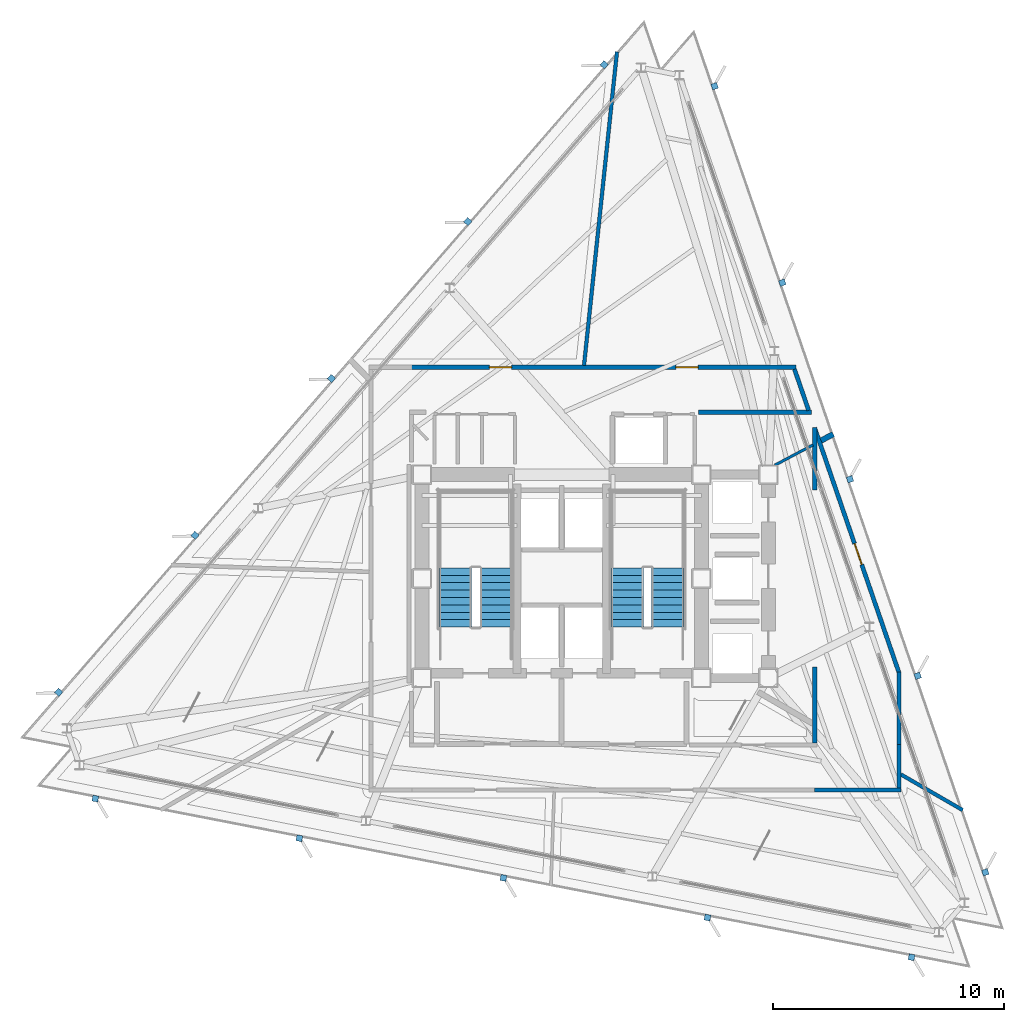
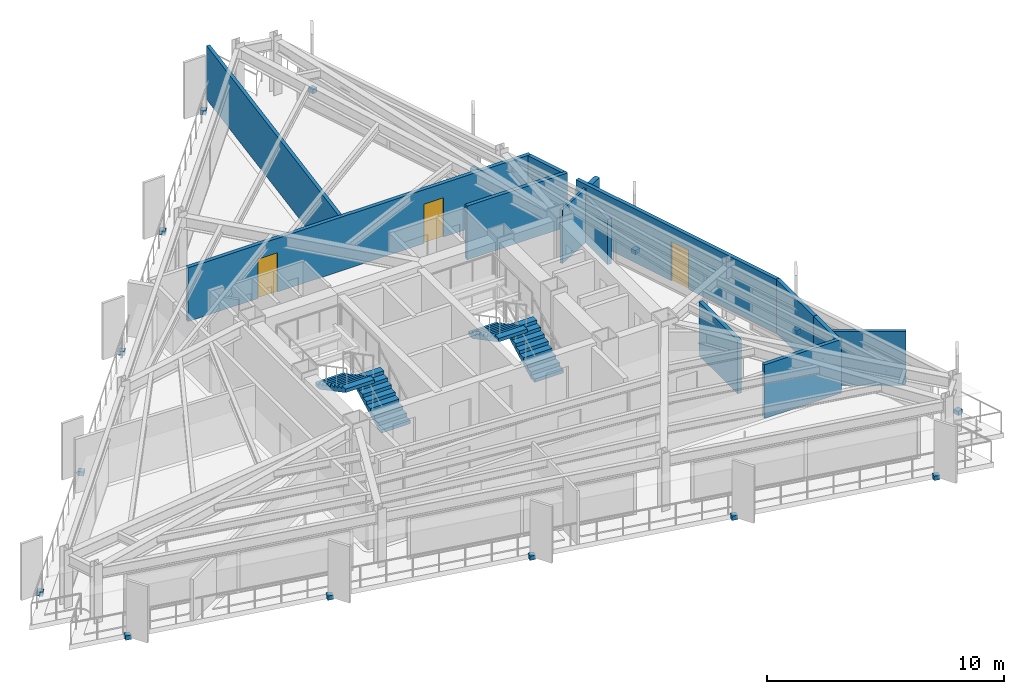
# One storey, part 10 of 13: 15 discrete accessories, 13 walls, 4 stair flights, 3 doors, 3 openings, 2 elements without a shape of their own.
"""IFC4 building model written with IfcOpenShell, lengths in metres."""

from ifc_helpers import new_model, si_unit, direction, frame, frame_2d, origin, origin_2d, place, context, subcontext, project, spatial, polyline, rectangle, outline, extrude, material, layer, layer_set, type_object, element, fill, aggregate, save


model = new_model("IFC4")

# Units and contexts
model_context = context("Model", 3, precision=1e-05, world=origin(), true_north=direction((0.0, 1.0)))
body_context = subcontext(model_context, "Body", "Model", "MODEL_VIEW")
ifc_project = project(units=[si_unit("LENGTHUNIT", "METRE"), si_unit("AREAUNIT", "SQUARE_METRE"), si_unit("VOLUMEUNIT", "CUBIC_METRE"), si_unit("PLANEANGLEUNIT", "RADIAN"), si_unit("MASSUNIT", "GRAM", prefix="KILO")], contexts=[model_context])

# Site, building, storey
site_placement = place(None, origin())
site = spatial("IfcSite", under=ifc_project, at=site_placement, CompositionType="ELEMENT")
building_placement = place(site_placement, origin())
building = spatial("IfcBuilding", under=site, at=building_placement, Name="Rocaltana Carrier Exchange", CompositionType="ELEMENT")
storey_placement = place(building_placement, frame((0.0, 0.0, 165.43994140625)))
storey = spatial("IfcBuildingStorey", under=building, at=storey_placement, Name="L52", CompositionType="ELEMENT", Elevation=165.43994140625)

# Walls
ifc_material_1 = material(Name="Double Acoustic Gypsum Partition", Category="gypsum")
ifc_layer_1 = layer(ifc_material_1, 0.159912109375)
ifc_layer_set_1 = layer_set([ifc_layer_1], Name="Double Acoustic Gypsum Partition")
wall_type_1 = type_object("IfcWallType", Name="Acoustic Studio Partition 160 EI60", PredefinedType="PARTITIONING", material=ifc_layer_set_1)
wall_1_placement = place(storey_placement, frame((14.679931640625, -8.4755859375, 0.0), z_axis=(0.0, 0.0, 1.0), x_axis=(0.866047813034, -0.499961184032, 0.0)))
element("IfcWall", 1, at=wall_1_placement, inside=storey, type_object=wall_type_1, Name="L52 Suite Divider Wall D4", PredefinedType="PARTITIONING", context=body_context, shape_type="SweptSolid", body=[
    extrude(rectangle(XDim=3.098388671875, YDim=0.159912109375, at=frame_2d((1.54931640625, 0.0))), origin(), (0.0, 0.0, 1.0), 2.762939453125),
])
wall_2_placement = place(storey_placement, frame((0.97021484375, 9.22998046875, 0.0), z_axis=(0.0, 0.0, 1.0), x_axis=(0.10452931889, 0.994521805438, 0.0)))
element("IfcWall", 2, at=wall_2_placement, inside=storey, type_object=wall_type_1, Name="L52 Suite Divider Wall D7", PredefinedType="PARTITIONING", context=body_context, shape_type="SweptSolid", body=[
    extrude(rectangle(XDim=13.651611328125, YDim=0.159912109375, at=frame_2d((6.82568359375, 0.0))), origin(), (0.0, 0.0, 1.0), 2.762939453125),
])

# Wall, openings, doors
ifc_material_2 = material(Name="Gypsum & Steel Stud Partition", Category="steel")
ifc_layer_2 = layer(ifc_material_2, 0.179931640625)
ifc_layer_set_2 = layer_set([ifc_layer_2], Name="Gypsum & Steel Stud Partition")
wall_type_2 = type_object("IfcWallType", Name="Corridor Fire Partition 180 EI60", PredefinedType="PARTITIONING", material=ifc_layer_set_2)
wall_3_placement = place(storey_placement, frame((-6.52001953125, 9.14990234375, 0.0), z_axis=(0.0, 0.0, 1.0), x_axis=(1.0, 0.0, 0.0)))
wall_3 = element("IfcWall", 3, at=wall_3_placement, inside=storey, type_object=wall_type_2, Name="L52 Corridor Partition 6", PredefinedType="PARTITIONING", context=body_context, shape_type="SweptSolid", body=[
    extrude(rectangle(XDim=16.662353515625, YDim=0.179931640625, at=frame_2d((8.3310546875, 0.0))), origin(), (0.0, 0.0, 1.0), 2.762939453125),
])
opening_1_placement = place(wall_3_placement, frame((11.46630859375, 0.0, 0.0)))
opening_1 = element("IfcOpeningElement", 4, at=opening_1_placement, cuts=wall_3, Name="Opening D-RM098", PredefinedType="OPENING", context=body_context, shape_type="SweptSolid", body=[
    extrude(rectangle(XDim=0.9599609375, YDim=2.02001953125, at=frame_2d((0.47998046875, 1.010009765625))), frame((0.0, 0.099853515625, 0.0), z_axis=(0.0, -1.0, 0.0), x_axis=(1.0, 0.0, 0.0)), (0.0, 0.0, 1.0), 0.199951171875),
])
opening_2_placement = place(wall_3_placement, frame((3.39501953125, 0.0, 0.0)))
opening_2 = element("IfcOpeningElement", 5, at=opening_2_placement, cuts=wall_3, Name="Opening D-RM098", PredefinedType="OPENING", context=body_context, shape_type="SweptSolid", body=[
    extrude(rectangle(XDim=0.9599609375, YDim=2.02001953125, at=frame_2d((0.47998046875, 1.010009765625))), frame((0.0, 0.099853515625, 0.0), z_axis=(0.0, -1.0, 0.0), x_axis=(1.0, 0.0, 0.0)), (0.0, 0.0, 1.0), 0.199951171875),
])
ifc_material_3 = material(Name="Engineered Hardwood Timber", Category="wood")
door_type = type_object("IfcDoorType", Name="Workspace Single Door 960x2020", OperationType="NOTDEFINED", PredefinedType="DOOR", material=ifc_material_3)
door_1_placement = place(opening_1_placement, origin())
door_1 = element("IfcDoor", 6, at=door_1_placement, inside=storey, type_object=door_type, Name="L52 Peering Conference Room Entrance Door", OperationType="SINGLE_SWING_LEFT", OverallHeight=2.02001953125, OverallWidth=0.9599609375, PredefinedType="DOOR", context=body_context, shape_type="SweptSolid", body=[
    extrude(rectangle(XDim=0.9599609375, YDim=2.02001953125, at=frame_2d((0.47998046875, 1.010009765625))), frame((0.0, 0.02490234375, 0.0), z_axis=(0.0, -1.0, 0.0), x_axis=(1.0, 0.0, 0.0)), (0.0, 0.0, 1.0), 0.050048828125),
])
fill(opening_1, door_1)
door_2_placement = place(opening_2_placement, origin())
door_2 = element("IfcDoor", 7, at=door_2_placement, inside=storey, type_object=door_type, Name="L52 Quiet Focus Lounge Entrance Door", OperationType="SINGLE_SWING_RIGHT", OverallHeight=2.02001953125, OverallWidth=0.9599609375, PredefinedType="DOOR", context=body_context, shape_type="SweptSolid", body=[
    extrude(rectangle(XDim=0.9599609375, YDim=2.02001953125, at=frame_2d((0.47998046875, 1.010009765625))), frame((0.0, 0.02490234375, 0.0), z_axis=(0.0, -1.0, 0.0), x_axis=(1.0, 0.0, 0.0)), (0.0, 0.0, 1.0), 0.050048828125),
])
fill(opening_2, door_2)

# Walls
wall_4_placement = place(storey_placement, frame((10.08154296875, 9.06494140625, 0.0), z_axis=(0.0, 0.0, 1.0), x_axis=(0.325550958337, -0.945524496524, 0.0)))
element("IfcWall", 8, at=wall_4_placement, inside=storey, type_object=wall_type_2, Name="L52 Corridor Partition 7", PredefinedType="PARTITIONING", context=body_context, shape_type="SweptSolid", body=[
    extrude(rectangle(XDim=1.88232421875, YDim=0.179931640625, at=frame_2d((0.941162109375, 0.0))), origin(), (0.0, 0.0, 1.0), 2.762939453125),
])
wall_5_placement = place(storey_placement, frame((10.813720703125, 7.199951171875, 0.0), z_axis=(0.0, 0.0, 1.0), x_axis=(-1.0, 0.0, 0.0)))
element("IfcWall", 9, at=wall_5_placement, inside=storey, type_object=wall_type_2, Name="L52 Corridor Partition 8", PredefinedType="PARTITIONING", context=body_context, shape_type="SweptSolid", body=[
    extrude(rectangle(XDim=4.8837890625, YDim=0.179931640625, at=frame_2d((2.44189453125, 0.0))), origin(), (0.0, 0.0, 1.0), 2.762939453125),
])
wall_6_placement = place(storey_placement, frame((10.9599609375, -7.110107421875, 0.0), z_axis=(0.0, 0.0, 1.0), x_axis=(0.0, 1.0, 0.0)))
element("IfcWall", 10, at=wall_6_placement, inside=storey, type_object=wall_type_2, Name="L52 Corridor Partition 15", PredefinedType="PARTITIONING", context=body_context, shape_type="SweptSolid", body=[
    extrude(rectangle(XDim=3.2705078125, YDim=0.179931640625, at=frame_2d((1.63525390625, 0.0))), origin(), (0.0, 0.0, 1.0), 2.762939453125),
])
wall_7_placement = place(storey_placement, frame((10.9599609375, 3.839599609375, 0.0), z_axis=(0.0, 0.0, 1.0), x_axis=(0.0, 1.0, 0.0)))
element("IfcWall", 11, at=wall_7_placement, inside=storey, type_object=wall_type_2, Name="L52 Corridor Partition 16", PredefinedType="PARTITIONING", context=body_context, shape_type="SweptSolid", body=[
    extrude(rectangle(XDim=2.694091796875, YDim=0.179931640625, at=frame_2d((1.34716796875, 0.0))), origin(), (0.0, 0.0, 1.0), 2.330078125),
])

# Wall, opening, door
wall_8_placement = place(storey_placement, frame((10.95361328125, 6.53271484375, 0.0), z_axis=(0.0, 0.0, 1.0), x_axis=(0.325553439946, -0.945523642084, 0.0)))
wall_8 = element("IfcWall", 12, at=wall_8_placement, inside=storey, type_object=wall_type_2, Name="L52 Corridor Partition 17", PredefinedType="PARTITIONING", context=body_context, shape_type="SweptSolid", body=[
    extrude(rectangle(XDim=11.220458984375, YDim=0.179931640625, at=frame_2d((5.6103515625, 0.0))), origin(), (0.0, 0.0, 1.0), 2.762939453125),
])
opening_3_placement = place(wall_8_placement, frame((5.310791015625, 0.0, 0.0)))
opening_3 = element("IfcOpeningElement", 13, at=opening_3_placement, cuts=wall_8, Name="Opening D-RM098", PredefinedType="OPENING", context=body_context, shape_type="SweptSolid", body=[
    extrude(rectangle(XDim=0.9599609375, YDim=2.02001953125, at=frame_2d((0.47998046875, 1.010009765625))), frame((0.0, 0.099853515625, 0.0), z_axis=(0.0, -1.0, 0.0), x_axis=(1.0, 0.0, 0.0)), (0.0, 0.0, 1.0), 0.199951171875),
])
door_3_placement = place(opening_3_placement, origin())
door_3 = element("IfcDoor", 14, at=door_3_placement, inside=storey, type_object=door_type, Name="L52 Quiet Focus Lounge Entrance Door", OperationType="SINGLE_SWING_RIGHT", OverallHeight=2.02001953125, OverallWidth=0.9599609375, PredefinedType="DOOR", context=body_context, shape_type="SweptSolid", body=[
    extrude(rectangle(XDim=0.9599609375, YDim=2.02001953125, at=frame_2d((0.47998046875, 1.010009765625))), frame((0.0, 0.02490234375, 0.0), z_axis=(0.0, -1.0, 0.0), x_axis=(1.0, 0.0, 0.0)), (0.0, 0.0, 1.0), 0.050048828125),
])
fill(opening_3, door_3)

# Walls
wall_9_placement = place(storey_placement, frame((14.60009765625, -4.03759765625, 0.0), z_axis=(0.0, 0.0, 1.0), x_axis=(0.0, -1.0, 0.0)))
element("IfcWall", 15, at=wall_9_placement, inside=storey, type_object=wall_type_2, Name="L52 Corridor Partition 18", PredefinedType="PARTITIONING", context=body_context, shape_type="SweptSolid", body=[
    extrude(rectangle(XDim=3.182373046875, YDim=0.179931640625, at=frame_2d((1.59130859375, 0.0))), origin(), (0.0, 0.0, 1.0), 2.762939453125),
])
wall_10_placement = place(storey_placement, frame((14.60009765625, -7.179931640625, 0.0), z_axis=(0.0, 0.0, 1.0), x_axis=(0.0, -1.0, 0.0)))
element("IfcWall", 16, at=wall_10_placement, inside=storey, type_object=wall_type_2, Name="L52 Corridor Partition 19", PredefinedType="PARTITIONING", context=body_context, shape_type="SweptSolid", body=[
    extrude(rectangle(XDim=1.880126953125, YDim=0.179931640625, at=frame_2d((0.93994140625, 0.0))), origin(), (0.0, 0.0, 1.0), 2.762939453125),
])
wall_11_placement = place(storey_placement, frame((14.68994140625, -9.14990234375, 0.0), z_axis=(0.0, 0.0, 1.0), x_axis=(-1.0, 0.0, 0.0)))
element("IfcWall", 17, at=wall_11_placement, inside=storey, type_object=wall_type_2, Name="L52 Corridor Partition 20", PredefinedType="PARTITIONING", context=body_context, shape_type="SweptSolid", body=[
    extrude(rectangle(XDim=3.75, YDim=0.179931640625, at=frame_2d((1.875, 0.0))), origin(), (0.0, 0.0, 1.0), 2.762939453125),
])
ifc_material_4 = material(Name="Aluminium 6063-T6 & Acoustic Glass", Category="aluminium")
ifc_layer_3 = layer(ifc_material_4, 0.114990234375)
ifc_layer_set_3 = layer_set([ifc_layer_3], Name="Aluminium 6063-T6 & Acoustic Glass")
wall_type_3 = type_object("IfcWallType", Name="Demountable Glazed Lab Partition 115", PredefinedType="MOVABLE", material=ifc_layer_set_3)
wall_12_placement = place(storey_placement, frame((9.234375, 4.909912109375, 0.0), z_axis=(0.0, 0.0, 1.0), x_axis=(0.882932473202, 0.46949999762, 0.0)))
element("IfcWall", 18, at=wall_12_placement, inside=storey, type_object=wall_type_3, Name="L52 Suite Divider Wall D5", PredefinedType="MOVABLE", context=body_context, shape_type="SweptSolid", body=[
    extrude(rectangle(XDim=1.86376953125, YDim=0.114990234375, at=frame_2d((0.931884765625, 0.0))), origin(), (0.0, 0.0, 1.0), 2.762939453125),
])
ifc_material_5 = material(Name="Acoustic Calcium Silicate Partition", Category="gypsum")
ifc_layer_4 = layer(ifc_material_5, 0.239990234375)
ifc_layer_set_4 = layer_set([ifc_layer_4], Name="Acoustic Calcium Silicate Partition")
wall_type_4 = type_object("IfcWallType", Name="Heavy Lab Partition 240 EI90", PredefinedType="PARTITIONING", material=ifc_layer_set_4)
wall_13_placement = place(storey_placement, frame((11.231201171875, 5.9716796875, 0.0), z_axis=(0.0, 0.0, 1.0), x_axis=(0.882951671469, 0.469463891956, 0.0)))
element("IfcWall", 19, at=wall_13_placement, inside=storey, type_object=wall_type_4, Name="L52 Suite Divider Wall D6", PredefinedType="PARTITIONING", context=body_context, shape_type="SweptSolid", body=[
    extrude(rectangle(XDim=0.597412109375, YDim=0.239990234375, at=frame_2d((0.298828125, 0.0))), origin(), (0.0, 0.0, 1.0), 2.762939453125),
])

# Stair, stair flights
ifc_material_6 = material(Name="Precast concrete C45/55", Category="concrete")
stair_type = type_object("IfcStairType", Name="Standard Dog-Leg Stair 160", PredefinedType="HALF_TURN_STAIR", material=ifc_material_6)
stair_1_placement = place(storey_placement, origin())
stair_1 = element("IfcStair", 20, at=stair_1_placement, inside=storey, type_object=stair_type, Name="L52 Core West Exit Stair ST-1", PredefinedType="HALF_TURN_STAIR")
ifc_material_7 = material(Name="Precast concrete C45/55", Category="concrete")
stair_flight_type = type_object("IfcStairFlightType", Name="Precast Stair Flight 160", PredefinedType="STRAIGHT", material=ifc_material_7)
stair_flight_1_placement = place(storey_placement, frame((-2.840087890625, -2.10009765625, 0.0), z_axis=(0.0, 0.0, 1.0), x_axis=(0.0, 1.0, 0.0)))
stair_flight_1 = element("IfcStairFlight", 21, at=stair_flight_1_placement, type_object=stair_flight_type, Name="ST-1 flight 1", NumberOfRisers=9, NumberOfTreads=8, PredefinedType="STRAIGHT", RiserHeight=0.168888889, TreadLength=0.32, context=body_context, shape_type="SweptSolid", body=[
    extrude(outline(polyline([(0.0, 0.0), (0.0, 0.1689453125), (0.320068359375, 0.1689453125), (0.320068359375, 0.337890625), (0.639892578125, 0.337890625), (0.639892578125, 0.506591796875), (0.9599609375, 0.506591796875), (0.9599609375, 0.675537109375), (1.280029296875, 0.675537109375), (1.280029296875, 0.844482421875), (1.60009765625, 0.844482421875), (1.60009765625, 1.013427734375), (1.919921875, 1.013427734375), (1.919921875, 1.18212890625), (2.239990234375, 1.18212890625), (2.239990234375, 1.35107421875), (2.56005859375, 1.35107421875), (2.56005859375, 1.52001953125), (2.56005859375, 1.17041015625), (0.342529296875, 0.0), (0.0, 0.0)])), frame((0.0, 0.699951171875, 0.0), z_axis=(0.0, -1.0, 0.0), x_axis=(1.0, 0.0, 0.0)), (0.0, 0.0, 1.0), 1.39990234375),
])
stair_flight_2_placement = place(storey_placement, frame((-4.60009765625, 0.4599609375, 1.52001953125), z_axis=(0.0, 0.0, 1.0), x_axis=(0.0, -1.0, 0.0)))
stair_flight_2 = element("IfcStairFlight", 22, at=stair_flight_2_placement, type_object=stair_flight_type, Name="ST-1 flight 2", NumberOfRisers=9, NumberOfTreads=8, PredefinedType="STRAIGHT", RiserHeight=0.168888889, TreadLength=0.32, context=body_context, shape_type="SweptSolid", body=[
    extrude(outline(polyline([(0.0, 0.0), (0.0, 0.1689453125), (0.320068359375, 0.1689453125), (0.320068359375, 0.337890625), (0.639892578125, 0.337890625), (0.639892578125, 0.506591796875), (0.9599609375, 0.506591796875), (0.9599609375, 0.675537109375), (1.280029296875, 0.675537109375), (1.280029296875, 0.844482421875), (1.60009765625, 0.844482421875), (1.60009765625, 1.013427734375), (1.919921875, 1.013427734375), (1.919921875, 1.18212890625), (2.239990234375, 1.18212890625), (2.239990234375, 1.35107421875), (2.56005859375, 1.35107421875), (2.56005859375, 1.52001953125), (2.56005859375, 1.17041015625), (0.342529296875, 0.0), (0.0, 0.0)])), frame((0.0, 0.699951171875, 0.0), z_axis=(0.0, -1.0, 0.0), x_axis=(1.0, 0.0, 0.0)), (0.0, 0.0, 1.0), 1.39990234375),
])
aggregate(stair_1, [stair_flight_1, stair_flight_2])

stair_2_placement = place(storey_placement, origin())
stair_2 = element("IfcStair", 23, at=stair_2_placement, inside=storey, type_object=stair_type, Name="L52 Core East Exit Stair ST-2", PredefinedType="HALF_TURN_STAIR")
stair_flight_3_placement = place(storey_placement, frame((4.60009765625, -2.10009765625, 0.0), z_axis=(0.0, 0.0, 1.0), x_axis=(0.0, 1.0, 0.0)))
stair_flight_3 = element("IfcStairFlight", 24, at=stair_flight_3_placement, type_object=stair_flight_type, Name="ST-2 flight 1", NumberOfRisers=9, NumberOfTreads=8, PredefinedType="STRAIGHT", RiserHeight=0.168888889, TreadLength=0.32, context=body_context, shape_type="SweptSolid", body=[
    extrude(outline(polyline([(0.0, 0.0), (0.0, 0.1689453125), (0.320068359375, 0.1689453125), (0.320068359375, 0.337890625), (0.639892578125, 0.337890625), (0.639892578125, 0.506591796875), (0.9599609375, 0.506591796875), (0.9599609375, 0.675537109375), (1.280029296875, 0.675537109375), (1.280029296875, 0.844482421875), (1.60009765625, 0.844482421875), (1.60009765625, 1.013427734375), (1.919921875, 1.013427734375), (1.919921875, 1.18212890625), (2.239990234375, 1.18212890625), (2.239990234375, 1.35107421875), (2.56005859375, 1.35107421875), (2.56005859375, 1.52001953125), (2.56005859375, 1.17041015625), (0.342529296875, 0.0), (0.0, 0.0)])), frame((0.0, 0.699951171875, 0.0), z_axis=(0.0, -1.0, 0.0), x_axis=(1.0, 0.0, 0.0)), (0.0, 0.0, 1.0), 1.39990234375),
])
stair_flight_4_placement = place(storey_placement, frame((2.840087890625, 0.4599609375, 1.52001953125), z_axis=(0.0, 0.0, 1.0), x_axis=(0.0, -1.0, 0.0)))
stair_flight_4 = element("IfcStairFlight", 25, at=stair_flight_4_placement, type_object=stair_flight_type, Name="ST-2 flight 2", NumberOfRisers=9, NumberOfTreads=8, PredefinedType="STRAIGHT", RiserHeight=0.168888889, TreadLength=0.32, context=body_context, shape_type="SweptSolid", body=[
    extrude(outline(polyline([(0.0, 0.0), (0.0, 0.1689453125), (0.320068359375, 0.1689453125), (0.320068359375, 0.337890625), (0.639892578125, 0.337890625), (0.639892578125, 0.506591796875), (0.9599609375, 0.506591796875), (0.9599609375, 0.675537109375), (1.280029296875, 0.675537109375), (1.280029296875, 0.844482421875), (1.60009765625, 0.844482421875), (1.60009765625, 1.013427734375), (1.919921875, 1.013427734375), (1.919921875, 1.18212890625), (2.239990234375, 1.18212890625), (2.239990234375, 1.35107421875), (2.56005859375, 1.35107421875), (2.56005859375, 1.52001953125), (2.56005859375, 1.17041015625), (0.342529296875, 0.0), (0.0, 0.0)])), frame((0.0, 0.699951171875, 0.0), z_axis=(0.0, -1.0, 0.0), x_axis=(1.0, 0.0, 0.0)), (0.0, 0.0, 1.0), 1.39990234375),
])
aggregate(stair_2, [stair_flight_3, stair_flight_4])

# Discrete accessories
ifc_material_8 = material(Name="Brushed Architectural Stainless Metal", Category="steel")
ifc_layer_5 = layer(ifc_material_8, 0.219970703125)
ifc_layer_set_5 = layer_set([ifc_layer_5], Name="Brushed Architectural Stainless Metal")
discrete_accessory_type = type_object("IfcDiscreteAccessoryType", Name="Stainless Fin Slab-Edge Bracket 260x260x220", PredefinedType="BRACKET", material=ifc_layer_set_5)
for number, where, z_axis, x_axis, name in (
    (26, (18.344482421875, -12.720703125, -0.2099609375), (0.0, 0.0, 1.0), (-0.325568154457, 0.945518575599, 0.0), "L52 Sandstone Fin Edge Bracket F1-01"),
    (27, (15.414306640625, -4.2109375, -0.2099609375), (0.0, 0.0, 1.0), (-0.325568154457, 0.945518575599, 0.0), "L52 Sandstone Fin Edge Bracket F1-02"),
    (28, (12.484130859375, 4.298583984375, -0.2099609375), (0.0, 0.0, 1.0), (-0.325568154457, 0.945518575599, 0.0), "L52 Sandstone Fin Edge Bracket F1-03"),
    (29, (9.55419921875, 12.808349609375, -0.2099609375), (0.0, 0.0, 1.0), (-0.325568154457, 0.945518575599, 0.0), "L52 Sandstone Fin Edge Bracket F1-04"),
    (30, (6.6240234375, 21.318115234375, -0.2099609375), (0.0, 0.0, 1.0), (-0.325568154457, 0.945518575599, 0.0), "L52 Sandstone Fin Edge Bracket F1-05"),
    (31, (1.84423828125, 22.2470703125, -0.2099609375), (0.0, 0.0, 1.0), (-0.656059028991, -0.754709580223, 0.0), "L52 Sandstone Fin Edge Bracket F2-01"),
    (32, (-4.060302734375, 15.45458984375, -0.2099609375), (0.0, 0.0, 1.0), (-0.656059028991, -0.754709580223, 0.0), "L52 Sandstone Fin Edge Bracket F2-02"),
    (33, (-9.96484375, 8.662353515625, -0.2099609375), (0.0, 0.0, 1.0), (-0.656059028991, -0.754709580223, 0.0), "L52 Sandstone Fin Edge Bracket F2-03"),
    (34, (-15.869384765625, 1.869873046875, -0.2099609375), (0.0, 0.0, 1.0), (-0.656059028991, -0.754709580223, 0.0), "L52 Sandstone Fin Edge Bracket F2-04"),
    (35, (-21.77392578125, -4.92236328125, -0.2099609375), (0.0, 0.0, 1.0), (-0.656059028991, -0.754709580223, 0.0), "L52 Sandstone Fin Edge Bracket F2-05"),
    (36, (-20.188720703125, -9.5263671875, -0.2099609375), (0.0, 0.0, 1.0), (0.981627183448, -0.190808995377, 0.0), "L52 Sandstone Fin Edge Bracket F3-01"),
    (37, (-11.35400390625, -11.24365234375, -0.2099609375), (0.0, 0.0, 1.0), (0.981627183448, -0.190808995377, 0.0), "L52 Sandstone Fin Edge Bracket F3-02"),
    (38, (-2.519287109375, -12.9609375, -0.2099609375), (0.0, 0.0, 1.0), (0.981627183448, -0.190808995377, 0.0), "L52 Sandstone Fin Edge Bracket F3-03"),
    (39, (6.315185546875, -14.67822265625, -0.2099609375), (0.0, 0.0, 1.0), (0.981627183448, -0.190808995377, 0.0), "L52 Sandstone Fin Edge Bracket F3-04"),
    (40, (15.14990234375, -16.3955078125, -0.2099609375), (0.0, 0.0, 1.0), (0.981627183448, -0.190808995377, 0.0), "L52 Sandstone Fin Edge Bracket F3-05"),
):
    element("IfcDiscreteAccessory", number, at=place(storey_placement, frame(where, z_axis=z_axis, x_axis=x_axis)), inside=storey, type_object=discrete_accessory_type, Name=name, PredefinedType="BRACKET", context=body_context, shape_type="SweptSolid", body=[
        extrude(rectangle(XDim=0.260009765625, YDim=0.260009765625, at=origin_2d()), origin(), (0.0, 0.0, 1.0), 0.219970703125),
    ])

save(model, "model.ifc")
